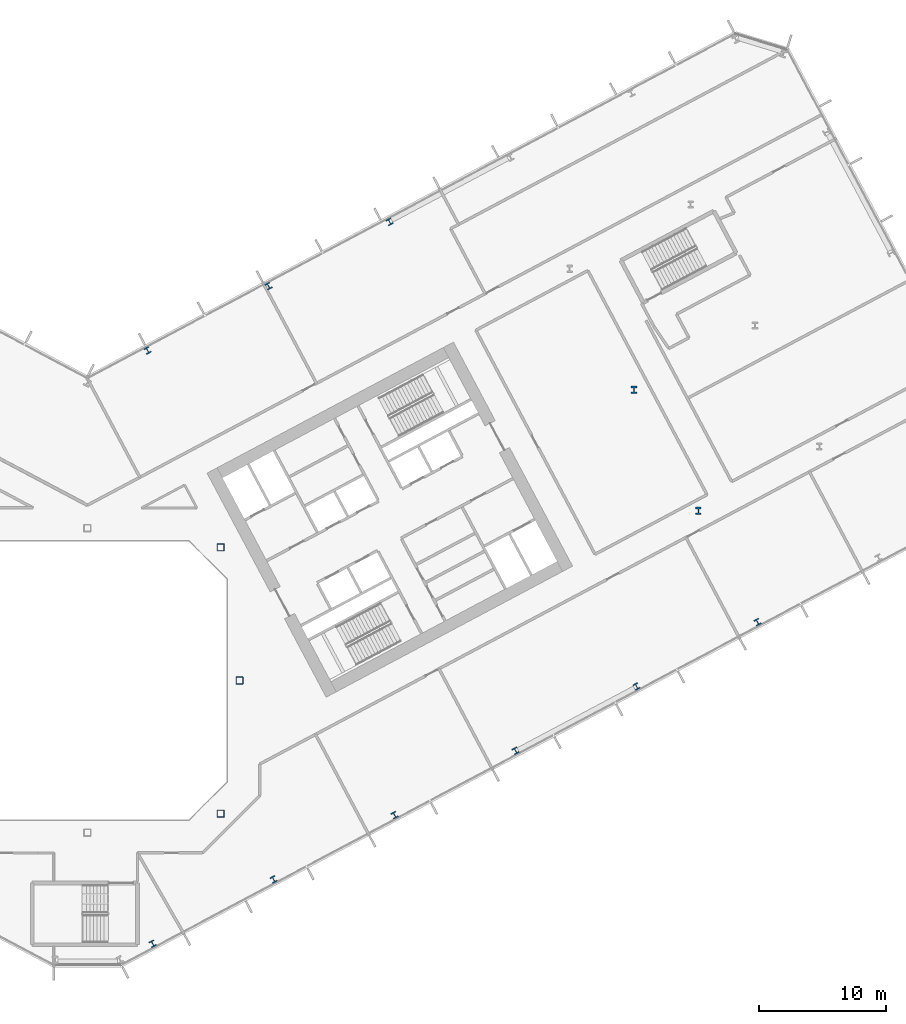
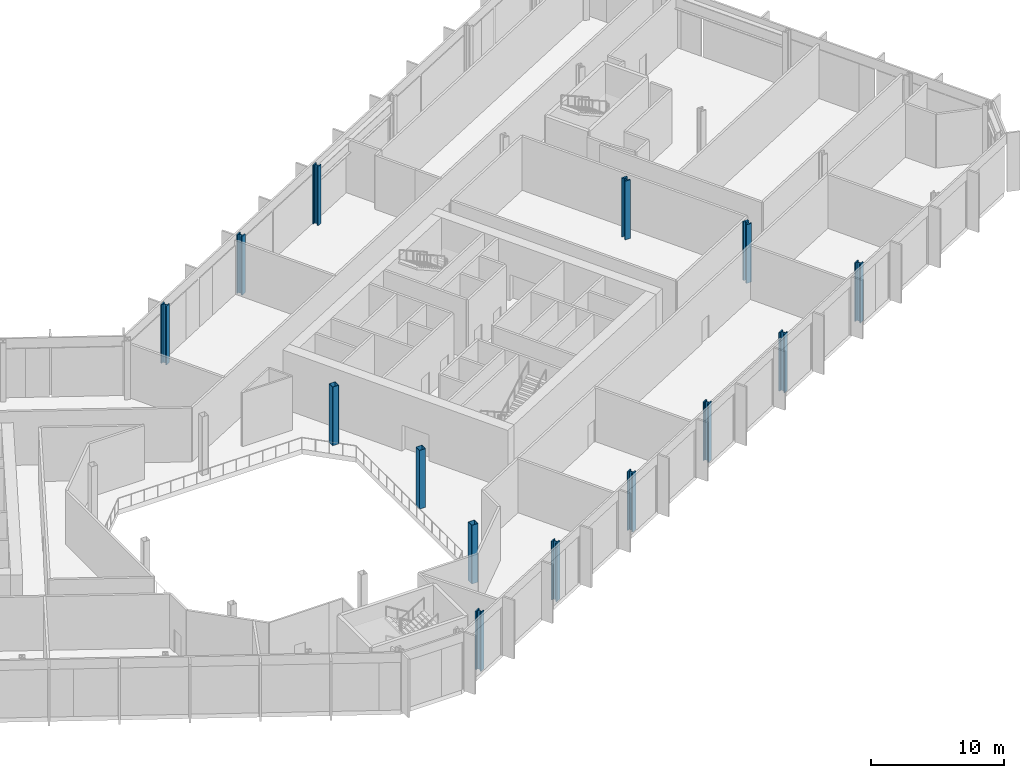
# One storey, part 3 of 32: 14 columns.
"""IFC4 building model written with IfcOpenShell, lengths in metres."""

import ifcopenshell
import ifcopenshell.guid

model = None  # the IFC model being written
_history = None  # IfcOwnerHistory: only IFC2X3 demands one
_inside = {}  # id of a spatial element -> (the spatial element, [elements in it])
_under = {}  # id of a project, library or spatial element -> (it, [spatial elements below it])
_declared = {}  # id of a project -> (the project, [libraries it declares])
_typed = {}  # id of a type object -> (the type object, [elements of that type])
_made_of = {}  # id of a material, layer set ... -> (it, [elements and type objects made of it])


def new_model(schema):
    """Start an empty IFC model of exactly this schema.

    Asked for "IFC4X3", IfcOpenShell would pick the latest addendum, in which some entities
    have other attributes; the version numbers below select the first issue.
    IFC2X3 requires an IfcOwnerHistory on every rooted entity: one is made here for all.
    """
    global model, _history
    if schema == "IFC4X3":
        model = ifcopenshell.file(schema_version=(4, 3, 0, 0))
    else:
        model = ifcopenshell.file(schema=schema)
    _inside.clear()
    _under.clear()
    _declared.clear()
    _typed.clear()
    _made_of.clear()
    _history = None
    if model.schema == "IFC2X3":
        org = make("IfcOrganization", Name="unknown")
        user = make(
            "IfcPersonAndOrganization",
            ThePerson=make("IfcPerson", FamilyName="unknown"),
            TheOrganization=org,
        )
        app = make(
            "IfcApplication",
            ApplicationDeveloper=org,
            Version="unknown",
            ApplicationFullName="unknown",
            ApplicationIdentifier="unknown",
        )
        _history = make(
            "IfcOwnerHistory",
            OwningUser=user,
            OwningApplication=app,
            ChangeAction="ADDED",
            CreationDate=0,
        )
    return model


def make(cls, **values):
    """One entity of the class cls with the attributes given. An attribute that is None is left unset."""
    return model.create_entity(
        cls, **{name: value for name, value in values.items() if value is not None}
    )


def rooted(cls, **values):
    """An entity with a GlobalId (a new one), such as an element, a storey or a relation."""
    return make(cls, GlobalId=ifcopenshell.guid.new(), OwnerHistory=_history, **values)


def si_unit(unit_type, name, prefix=None):
    """IfcSIUnit, for example si_unit("LENGTHUNIT", "METRE", prefix="MILLI")."""
    return make("IfcSIUnit", UnitType=unit_type, Prefix=prefix, Name=name)


def assignment(units):
    """IfcUnitAssignment: the units of a project."""
    return None if units is None else make("IfcUnitAssignment", Units=units)


def point(xyz):
    """IfcCartesianPoint."""
    return None if xyz is None else make("IfcCartesianPoint", Coordinates=xyz)


def direction(xyz):
    """IfcDirection."""
    return None if xyz is None else make("IfcDirection", DirectionRatios=xyz)


def frame(location, z_axis=None, x_axis=None):
    """IfcAxis2Placement3D, a coordinate frame: its origin and axes. An axis left out is left unset."""
    return make(
        "IfcAxis2Placement3D",
        Location=point(location),
        Axis=direction(z_axis),
        RefDirection=direction(x_axis),
    )


def frame_2d(location, x_axis=None):
    """IfcAxis2Placement2D, a coordinate frame in the plane: its origin and x axis."""
    return make(
        "IfcAxis2Placement2D", Location=point(location), RefDirection=direction(x_axis)
    )


def origin():
    """The frame at (0, 0, 0) with its axes left unset."""
    return frame((0.0, 0.0, 0.0))


def origin_2d():
    """The frame at (0, 0) in the plane with its x axis left unset."""
    return frame_2d((0.0, 0.0))


def place(relative_to, where):
    """IfcLocalPlacement: puts the frame where relative to a parent placement (None: the world)."""
    return make(
        "IfcLocalPlacement", PlacementRelTo=relative_to, RelativePlacement=where
    )


def context(
    kind, dimensions, precision=None, world=None, true_north=None, identifier=None
):
    """IfcGeometricRepresentationContext, for example the 3D "Model" context."""
    return make(
        "IfcGeometricRepresentationContext",
        ContextIdentifier=identifier,
        ContextType=kind,
        CoordinateSpaceDimension=dimensions,
        Precision=precision,
        WorldCoordinateSystem=world,
        TrueNorth=true_north,
    )


def subcontext(parent, identifier, kind, view, scale=None):
    """IfcGeometricRepresentationSubContext, for example "Body" below "Model"."""
    return make(
        "IfcGeometricRepresentationSubContext",
        ContextIdentifier=identifier,
        ContextType=kind,
        ParentContext=parent,
        TargetScale=scale,
        TargetView=view,
    )


def project(units=None, contexts=None):
    """IfcProject with its units and contexts."""
    return rooted(
        "IfcProject",
        Name="project",
        RepresentationContexts=contexts,
        UnitsInContext=assignment(units),
    )


def spatial(cls, under=None, at=None, **own):
    """A site, building, storey or space (cls), placed at a placement, below another one or the project."""
    s = rooted(cls, ObjectPlacement=at, **own)
    if under is not None:
        _under.setdefault(under.id(), (under, []))[1].append(s)
    return s


def profile(cls, at=None, kind="AREA", **sizes):
    """A parametric profile (cls). Its sizes go by their IFC names, for example OverallWidth=200.0."""
    return make(cls, ProfileType=kind, Position=at, **sizes)


def hollow_rectangle(**sizes):
    """IfcRectangleHollowProfileDef."""
    return profile("IfcRectangleHollowProfileDef", **sizes)


def i_section(**sizes):
    """IfcIShapeProfileDef."""
    return profile("IfcIShapeProfileDef", **sizes)


def extrude(swept, where, along, depth):
    """IfcExtrudedAreaSolid: the profile swept, set in the frame where, extruded along a direction by depth."""
    return make(
        "IfcExtrudedAreaSolid",
        SweptArea=swept,
        Position=where,
        ExtrudedDirection=direction(along),
        Depth=depth,
    )


def shape(context_of_items, identifier, shape_type, items):
    """IfcShapeRepresentation: the items that make up one representation, for example the "Body"."""
    return make(
        "IfcShapeRepresentation",
        ContextOfItems=context_of_items,
        RepresentationIdentifier=identifier,
        RepresentationType=shape_type,
        Items=items,
    )


def material(Name=None, Category=None):
    """IfcMaterial."""
    return make("IfcMaterial", Name=Name, Category=Category)


def material_profile(
    of_material, cross_section, Name=None, Category=None, Priority=None
):
    """IfcMaterialProfile: a cross section and its material."""
    return make(
        "IfcMaterialProfile",
        Name=Name,
        Material=of_material,
        Profile=cross_section,
        Priority=Priority,
        Category=Category,
    )


def profile_set(profiles, Name=None, composite=None):
    """IfcMaterialProfileSet."""
    return make(
        "IfcMaterialProfileSet",
        Name=Name,
        MaterialProfiles=profiles,
        CompositeProfile=composite,
    )


def made_of(thing, what):
    """Note that an element or type object is made of a material, layer set ...; save() writes the relation."""
    if what is not None:
        _made_of.setdefault(what.id(), (what, []))[1].append(thing)
    return thing


def type_object(cls, material=None, **own):
    """A type object (cls), such as IfcWallType, which elements share."""
    return made_of(rooted(cls, **own), material)


def element(
    cls,
    number,
    at=None,
    inside=None,
    cuts=None,
    type_object=None,
    material=None,
    context=None,
    identifier="Body",
    shape_type=None,
    held_by="IfcProductDefinitionShape",
    body=None,
    shapes=None,
    **own,
):
    """One element of the class cls, such as IfcWall. Its Tag is "e" and its number.

    at: its placement. inside: the storey or other place that contains it. cuts: it is an
    opening in that element (IfcRelVoidsElement). A single representation is given by context,
    identifier, shape_type and body (its items); several are given by shapes. held_by: the class
    of the entity that holds the representations. save() writes the other relations.
    """
    e = rooted(cls, Tag="e%d" % number, ObjectPlacement=at, **own)
    if body is not None:
        shapes = [shape(context, identifier, shape_type, body)]
    if shapes is not None:
        e.Representation = make(held_by, Representations=shapes)
    if inside is not None:
        _inside.setdefault(inside.id(), (inside, []))[1].append(e)
    if cuts is not None:
        rooted(
            "IfcRelVoidsElement", RelatingBuildingElement=cuts, RelatedOpeningElement=e
        )
    if type_object is not None:
        _typed.setdefault(type_object.id(), (type_object, []))[1].append(e)
    return made_of(e, material)


def aggregate(whole, parts):
    """IfcRelAggregates: a whole, such as a stair, and the parts it consists of."""
    return rooted("IfcRelAggregates", RelatingObject=whole, RelatedObjects=parts)


def save(model, path):
    """Write the relations noted so far, then the file.

    IfcRelAggregates (storeys below a building ...), IfcRelContainedInSpatialStructure (elements
    in a storey), IfcRelDefinesByType, IfcRelAssociatesMaterial and IfcRelDeclares: one each for
    every whole, place, type object, material and project.
    """
    for whole, parts in _under.values():
        aggregate(whole, parts)
    for where, things in _inside.values():
        rooted(
            "IfcRelContainedInSpatialStructure",
            RelatedElements=things,
            RelatingStructure=where,
        )
    for kind, things in _typed.values():
        rooted("IfcRelDefinesByType", RelatedObjects=things, RelatingType=kind)
    for what, things in _made_of.values():
        rooted("IfcRelAssociatesMaterial", RelatedObjects=things, RelatingMaterial=what)
    for by, libraries in _declared.values():
        rooted("IfcRelDeclares", RelatingContext=by, RelatedDefinitions=libraries)
    model.write(path)


model = new_model("IFC4")

# Units and contexts
model_context = context("Model", 3, precision=1e-05, world=origin(), true_north=direction((0.0, 1.0)))
body_context = subcontext(model_context, "Body", "Model", "MODEL_VIEW")
ifc_project = project(units=[si_unit("LENGTHUNIT", "METRE"), si_unit("AREAUNIT", "SQUARE_METRE"), si_unit("VOLUMEUNIT", "CUBIC_METRE"), si_unit("PLANEANGLEUNIT", "RADIAN"), si_unit("MASSUNIT", "GRAM", prefix="KILO")], contexts=[model_context])

# Site, building, storey
site_placement = place(None, origin())
site = spatial("IfcSite", under=ifc_project, at=site_placement, CompositionType="ELEMENT")
building_placement = place(site_placement, origin())
building = spatial("IfcBuilding", under=site, at=building_placement, Name="Cormorant Relay Tower", CompositionType="ELEMENT")
storey_placement = place(building_placement, frame((0.0, 0.0, 28.39990234375)))
storey = spatial("IfcBuildingStorey", under=building, at=storey_placement, Name="L05", CompositionType="ELEMENT", Elevation=28.39990234375)

# Columns
ifc_material_1 = material(Name="Steel ASTM A1085 Grade A (Fy 345 MPa)", Category="steel")
ifc_material_profile_1 = material_profile(ifc_material_1, hollow_rectangle(XDim=0.558837890625, YDim=0.558837890625, WallThickness=0.023681640625, InnerFilletRadius=0.01171875, OuterFilletRadius=0.035400390625, at=origin_2d()), Name="HSS559x559x24")
ifc_profile_set_1 = profile_set([ifc_material_profile_1], Name="Steel ASTM A1085 Grade A (Fy 345 MPa)")
column_type_1 = type_object("IfcColumnType", Name="Column HSS559x559x24", PredefinedType="COLUMN", material=ifc_profile_set_1)
for number, where, z_axis, x_axis, name in (
    (1, (10.5, -10.5, 0.0), (0.0, 0.0, 1.0), (1.0, 0.0, 0.0), "Column L05-010"),
    (2, (12.0, 0.0, 0.0), (0.0, 0.0, 1.0), (1.0, 0.0, 0.0), "Column L05-016"),
    (3, (10.5, 10.5, 0.0), (0.0, 0.0, 1.0), (1.0, 0.0, 0.0), "Column L05-023"),
):
    element("IfcColumn", number, at=place(storey_placement, frame(where, z_axis=z_axis, x_axis=x_axis)), inside=storey, type_object=column_type_1, Name=name, PredefinedType="COLUMN", context=body_context, shape_type="SweptSolid", body=[
        extrude(hollow_rectangle(XDim=0.558837890625, YDim=0.558837890625, WallThickness=0.023681640625, InnerFilletRadius=0.01171875, OuterFilletRadius=0.035400390625, at=origin_2d()), origin(), (0.0, 0.0, 1.0), 5.400146484375),
    ])
ifc_material_2 = material(Name="Steel ASTM A992 (Fy 345 MPa)", Category="steel")
ifc_material_profile_2 = material_profile(ifc_material_2, i_section(OverallWidth=0.45458984375, OverallDepth=0.569091796875, WebThickness=0.077880859375, FlangeThickness=0.124755859375, FilletRadius=0.015380859375, at=origin_2d()), Name="W360x1086")
ifc_profile_set_2 = profile_set([ifc_material_profile_2], Name="Steel ASTM A992 (Fy 345 MPa)")
column_type_2 = type_object("IfcColumnType", Name="Column W360x1086", PredefinedType="COLUMN", material=ifc_profile_set_2)
for number, where, z_axis, x_axis, name in (
    (4, (48.157958984375, 13.3740234375, 0.0), (0.0, 0.0, 1.0), (1.0, 0.0, 0.0), "Column L05-025"),
    (5, (43.087890625, 22.909912109375, 0.0), (0.0, 0.0, 1.0), (1.0, 0.0, 0.0), "Column L05-031"),
):
    element("IfcColumn", number, at=place(storey_placement, frame(where, z_axis=z_axis, x_axis=x_axis)), inside=storey, type_object=column_type_2, Name=name, PredefinedType="COLUMN", context=body_context, shape_type="SweptSolid", body=[
        extrude(i_section(OverallWidth=0.45458984375, OverallDepth=0.569091796875, WebThickness=0.077880859375, FlangeThickness=0.124755859375, FilletRadius=0.015380859375, at=origin_2d()), origin(), (0.0, 0.0, 1.0), 5.400146484375),
    ])
ifc_material_3 = material(Name="Steel ASTM A992 (Fy 345 MPa)", Category="steel")
ifc_material_profile_3 = material_profile(ifc_material_3, i_section(OverallWidth=0.43701171875, OverallDepth=0.51318359375, WebThickness=0.060546875, FlangeThickness=0.096923828125, FilletRadius=0.015380859375, at=origin_2d()), Name="W360x818")
ifc_profile_set_3 = profile_set([ifc_material_profile_3], Name="Steel ASTM A992 (Fy 345 MPa)")
column_type_3 = type_object("IfcColumnType", Name="Column W360x818", PredefinedType="COLUMN", material=ifc_profile_set_3)
for number, where, z_axis, x_axis, name in (
    (6, (5.14599609375, -20.75390625, 0.0), (0.0, 0.0, 1.0), (0.882947592859, 0.469471562786, 0.0), "Column L05-003"),
    (7, (14.680908203125, -15.68310546875, 0.0), (0.0, 0.0, 1.0), (0.882947592859, 0.469471562786, 0.0), "Column L05-005"),
    (8, (24.217041015625, -10.613037109375, 0.0), (0.0, 0.0, 1.0), (0.882947592859, 0.469471562786, 0.0), "Column L05-008"),
    (9, (33.7529296875, -5.54296875, 0.0), (0.0, 0.0, 1.0), (0.882947592859, 0.469471562786, 0.0), "Column L05-012"),
    (10, (43.2890625, -0.471923828125, 0.0), (0.0, 0.0, 1.0), (0.882947592859, 0.469471562786, 0.0), "Column L05-014"),
    (11, (52.824951171875, 4.597900390625, 0.0), (0.0, 0.0, 1.0), (0.882947592859, 0.469471562786, 0.0), "Column L05-019"),
    (12, (4.743896484375, 26.011962890625, 0.0), (0.0, 0.0, 1.0), (-0.882947592859, -0.469471562786, 0.0), "Column L05-035"),
    (13, (14.279052734375, 31.08203125, 0.0), (0.0, 0.0, 1.0), (-0.882947592859, -0.469471562786, 0.0), "Column L05-039"),
    (14, (23.81494140625, 36.152099609375, 0.0), (0.0, 0.0, 1.0), (-0.882947592859, -0.469471562786, 0.0), "Column L05-044"),
):
    element("IfcColumn", number, at=place(storey_placement, frame(where, z_axis=z_axis, x_axis=x_axis)), inside=storey, type_object=column_type_3, Name=name, PredefinedType="COLUMN", context=body_context, shape_type="SweptSolid", body=[
        extrude(i_section(OverallWidth=0.43701171875, OverallDepth=0.51318359375, WebThickness=0.060546875, FlangeThickness=0.096923828125, FilletRadius=0.015380859375, at=origin_2d()), origin(), (0.0, 0.0, 1.0), 5.400146484375),
    ])

save(model, "model.ifc")
